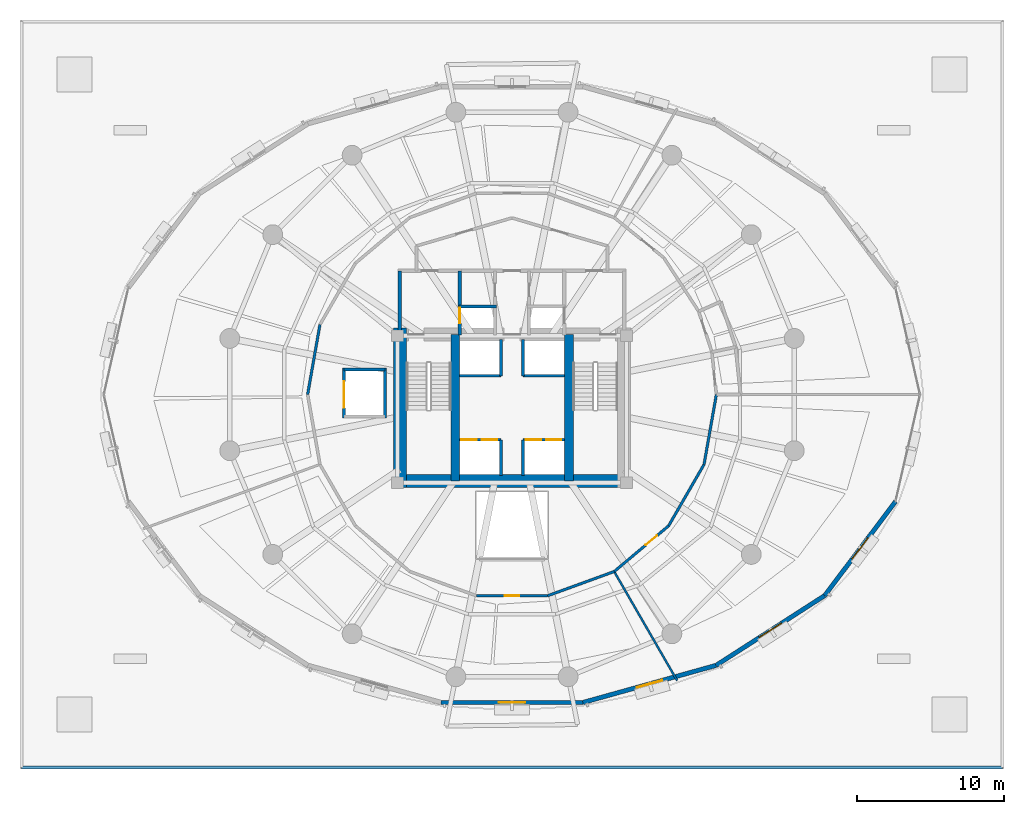
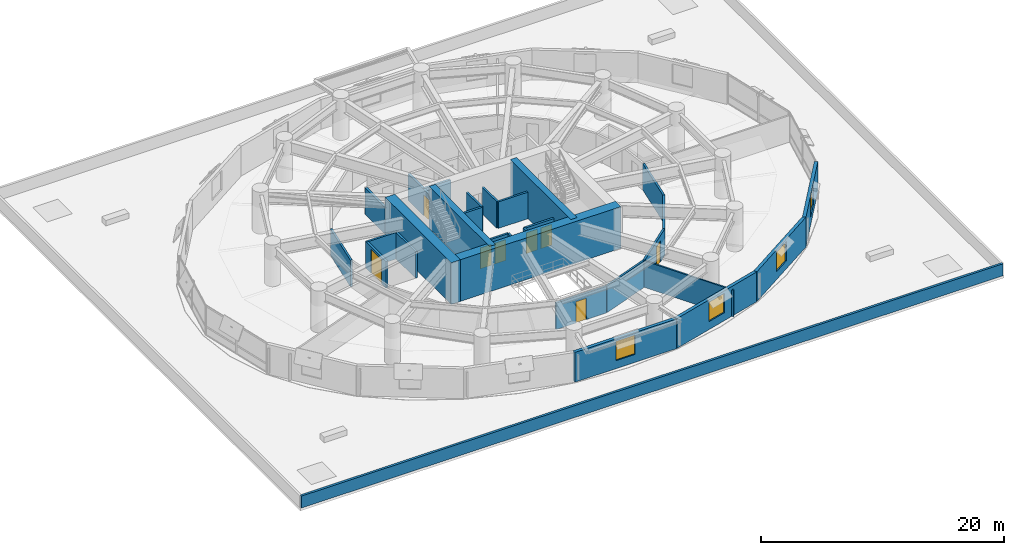
# One storey, part 9 of 15: 30 walls, 8 doors, 4 windows, 12 openings.
"""IFC4 building model written with IfcOpenShell, lengths in metres."""

from ifc_helpers import new_model, si_unit, direction, frame, frame_2d, origin, place, context, subcontext, project, spatial, rectangle, extrude, material, layer, layer_set, type_object, element, fill, save


model = new_model("IFC4")

# Units and contexts
model_context = context("Model", 3, precision=1e-05, world=origin(), true_north=direction((0.0, 1.0)))
body_context = subcontext(model_context, "Body", "Model", "MODEL_VIEW")
ifc_project = project(units=[si_unit("LENGTHUNIT", "METRE"), si_unit("AREAUNIT", "SQUARE_METRE"), si_unit("VOLUMEUNIT", "CUBIC_METRE"), si_unit("PLANEANGLEUNIT", "RADIAN"), si_unit("MASSUNIT", "GRAM", prefix="KILO"), si_unit("THERMODYNAMICTEMPERATUREUNIT", "KELVIN"), si_unit("POWERUNIT", "WATT")], contexts=[model_context])

# Site, building, storey
site_placement = place(None, origin())
site = spatial("IfcSite", under=ifc_project, at=site_placement, CompositionType="ELEMENT")
building_placement = place(site_placement, origin())
building = spatial("IfcBuilding", under=site, at=building_placement, Name="Ocrelia Relay Tower", CompositionType="ELEMENT")
storey_placement = place(building_placement, frame((0.0, 0.0, 30.0)))
storey = spatial("IfcBuildingStorey", under=building, at=storey_placement, Name="L06", CompositionType="ELEMENT", Elevation=30.0)

# Walls
ifc_material_1 = material(Name="Concrete C70/85", Category="concrete")
ifc_layer_1 = layer(ifc_material_1, 0.89990234375, Name="Concrete C70/85")
ifc_layer_set_1 = layer_set([ifc_layer_1], Name="Concrete C70/85")
wall_type_1 = type_object("IfcWallType", Name="CW-CORE-900", PredefinedType="SHEAR", material=ifc_layer_set_1)
wall_1_placement = place(storey_placement, frame((25.922119140625, 20.112060546875, 0.0), z_axis=(0.0, 0.0, 1.0), x_axis=(1.0, 0.0, 0.0)))
element("IfcWall", 1, at=wall_1_placement, inside=storey, type_object=wall_type_1, Name="L06 Core Shear Wall S", PredefinedType="SHEAR", context=body_context, shape_type="SweptSolid", body=[
    extrude(rectangle(XDim=16.165771484375, YDim=0.89990234375, at=frame_2d((8.0830078125, 0.0))), origin(), (0.0, 0.0, 1.0), 4.199951171875),
])
wall_2_placement = place(storey_placement, frame((26.3720703125, 19.662109375, 0.0), z_axis=(0.0, 0.0, 1.0), x_axis=(0.0, 1.0, 0.0)))
element("IfcWall", 2, at=wall_2_placement, inside=storey, type_object=wall_type_1, Name="L06 Core Shear Wall W", PredefinedType="SHEAR", context=body_context, shape_type="SweptSolid", body=[
    extrude(rectangle(XDim=10.8759765625, YDim=0.89990234375, at=frame_2d((5.43798828125, 0.0))), origin(), (0.0, 0.0, 1.0), 4.199951171875),
])
for number, where, z_axis, x_axis, name in (
    (3, (30.137939453125, 20.112060546875, 0.0), (0.0, 0.0, 1.0), (0.0, 1.0, 0.0), "L06 Core Shear Wall SPW"),
    (4, (37.8720703125, 20.112060546875, 0.0), (0.0, 0.0, 1.0), (0.0, 1.0, 0.0), "L06 Core Shear Wall SPE"),
):
    element("IfcWall", number, at=place(storey_placement, frame(where, z_axis=z_axis, x_axis=x_axis)), inside=storey, type_object=wall_type_1, Name=name, PredefinedType="SHEAR", context=body_context, shape_type="SweptSolid", body=[
        extrude(rectangle(XDim=9.975830078125, YDim=0.60009765625, at=frame_2d((4.98779296875, 0.0))), origin(), (0.0, 0.0, 1.0), 4.199951171875),
    ])
ifc_material_2 = material(Name="Gypsum Fireboard Partition EI60", Category="gypsum")
ifc_layer_2 = layer(ifc_material_2, 0.179931640625, Name="Gypsum Fireboard Partition EI60")
ifc_layer_set_2 = layer_set([ifc_layer_2], Name="Gypsum Fireboard Partition EI60")
wall_type_2 = type_object("IfcWallType", Name="W-CORR-EI60-180", PredefinedType="PARTITIONING", material=ifc_layer_set_2)
wall_3_placement = place(storey_placement, frame((20.91943359375, 30.760986328125, 0.0), z_axis=(0.0, 0.0, 1.0), x_axis=(-0.173621119757, -0.984812523669, 0.0)))
element("IfcWall", 5, at=wall_3_placement, inside=storey, type_object=wall_type_2, Name="L06 Colocation Data Hall A Corridor Partition 6", PredefinedType="PARTITIONING", context=body_context, shape_type="SweptSolid", body=[
    extrude(rectangle(XDim=4.83447265625, YDim=0.179931640625, at=frame_2d((2.417236328125, 0.0))), origin(), (0.0, 0.0, 1.0), 2.669921875),
])

# Wall, opening, door
wall_4_placement = place(storey_placement, frame((31.582763671875, 12.29150390625, 0.0), z_axis=(0.0, 0.0, 1.0), x_axis=(1.0, 0.0, 0.0)))
wall_4 = element("IfcWall", 6, at=wall_4_placement, inside=storey, type_object=wall_type_2, Name="L06 Hardware Testing Laboratory Corridor Partition 4", PredefinedType="PARTITIONING", context=body_context, shape_type="SweptSolid", body=[
    extrude(rectangle(XDim=4.83447265625, YDim=0.179931640625, at=frame_2d((2.417236328125, 0.0))), origin(), (0.0, 0.0, 1.0), 2.669921875),
])
opening_1_placement = place(wall_4_placement, frame((1.917236328125, 0.0, 0.0)))
opening_1 = element("IfcOpeningElement", 7, at=opening_1_placement, cuts=wall_4, Name="Opening D-RM100", PredefinedType="OPENING", context=body_context, shape_type="SweptSolid", body=[
    extrude(rectangle(XDim=1.0, YDim=2.14990234375, at=frame_2d((0.5, 1.074951171875))), frame((0.0, 0.10009765625, 0.0), z_axis=(0.0, -1.0, 0.0), x_axis=(1.0, 0.0, 0.0)), (0.0, 0.0, 1.0), 0.199951171875),
])
ifc_material_3 = material(Name="Acoustic oak veneer fire door", Category="wood")
door_type_1 = type_object("IfcDoorType", Name="DR-ROOM-FD60-1000", OperationType="NOTDEFINED", PredefinedType="DOOR", material=ifc_material_3)
door_1_placement = place(opening_1_placement, origin())
door_1 = element("IfcDoor", 8, at=door_1_placement, inside=storey, type_object=door_type_1, Name="L06 Hardware Testing Laboratory Entrance Door", OperationType="SINGLE_SWING_RIGHT", OverallHeight=2.14990234375, OverallWidth=1.0, PredefinedType="DOOR", context=body_context, shape_type="SweptSolid", body=[
    extrude(rectangle(XDim=1.0, YDim=2.14990234375, at=frame_2d((0.5, 1.074951171875))), frame((0.0, 0.02490234375, 0.0), z_axis=(0.0, -1.0, 0.0), x_axis=(1.0, 0.0, 0.0)), (0.0, 0.0, 1.0), 0.050048828125),
])
fill(opening_1, door_1)

# Wall
wall_5_placement = place(storey_placement, frame((36.417236328125, 12.29150390625, 0.0), z_axis=(0.0, 0.0, 1.0), x_axis=(0.939699018122, 0.342002566277, 0.0)))
element("IfcWall", 9, at=wall_5_placement, inside=storey, type_object=wall_type_2, Name="L06 Hardware Testing Laboratory Corridor Partition 5", PredefinedType="PARTITIONING", context=body_context, shape_type="SweptSolid", body=[
    extrude(rectangle(XDim=4.834228515625, YDim=0.179931640625, at=frame_2d((2.4169921875, 0.0))), origin(), (0.0, 0.0, 1.0), 2.669921875),
])

# Wall, opening, door
wall_6_placement = place(storey_placement, frame((40.9599609375, 13.94482421875, 0.0), z_axis=(0.0, 0.0, 1.0), x_axis=(0.766027093856, 0.642808285167, 0.0)))
wall_6 = element("IfcWall", 10, at=wall_6_placement, inside=storey, type_object=wall_type_2, Name="L06 Telemetry Operations Studio Corridor Partition 1", PredefinedType="PARTITIONING", context=body_context, shape_type="SweptSolid", body=[
    extrude(rectangle(XDim=4.83447265625, YDim=0.179931640625, at=frame_2d((2.417236328125, 0.0))), origin(), (0.0, 0.0, 1.0), 2.669921875),
])
opening_2_placement = place(wall_6_placement, frame((2.80078125, 0.0, 0.0)))
opening_2 = element("IfcOpeningElement", 11, at=opening_2_placement, cuts=wall_6, Name="Opening D-RM100", PredefinedType="OPENING", context=body_context, shape_type="SweptSolid", body=[
    extrude(rectangle(XDim=1.0, YDim=2.14990234375, at=frame_2d((0.5, 1.074951171875))), frame((0.0, 0.10009765625, 0.0), z_axis=(0.0, -1.0, 0.0), x_axis=(1.0, 0.0, 0.0)), (0.0, 0.0, 1.0), 0.199951171875),
])
door_2_placement = place(opening_2_placement, origin())
door_2 = element("IfcDoor", 12, at=door_2_placement, inside=storey, type_object=door_type_1, Name="L06 Telemetry Operations Studio Entrance Door", OperationType="SINGLE_SWING_LEFT", OverallHeight=2.14990234375, OverallWidth=1.0, PredefinedType="DOOR", context=body_context, shape_type="SweptSolid", body=[
    extrude(rectangle(XDim=1.0, YDim=2.14990234375, at=frame_2d((0.5, 1.074951171875))), frame((0.0, 0.02490234375, 0.0), z_axis=(0.0, -1.0, 0.0), x_axis=(1.0, 0.0, 0.0)), (0.0, 0.0, 1.0), 0.050048828125),
])
fill(opening_2, door_2)

# Walls
wall_7_placement = place(storey_placement, frame((44.663330078125, 17.052490234375, 0.0), z_axis=(0.0, 0.0, 1.0), x_axis=(0.500022634323, 0.866012335458, 0.0)))
element("IfcWall", 13, at=wall_7_placement, inside=storey, type_object=wall_type_2, Name="L06 Telemetry Operations Studio Corridor Partition 2", PredefinedType="PARTITIONING", context=body_context, shape_type="SweptSolid", body=[
    extrude(rectangle(XDim=4.834228515625, YDim=0.179931640625, at=frame_2d((2.4169921875, 0.0))), origin(), (0.0, 0.0, 1.0), 2.669921875),
])
wall_8_placement = place(storey_placement, frame((47.08056640625, 21.239013671875, 0.0), z_axis=(0.0, 0.0, 1.0), x_axis=(0.173621119757, 0.984812523669, 0.0)))
element("IfcWall", 14, at=wall_8_placement, inside=storey, type_object=wall_type_2, Name="L06 Telemetry Operations Studio Corridor Partition 3", PredefinedType="PARTITIONING", context=body_context, shape_type="SweptSolid", body=[
    extrude(rectangle(XDim=4.83447265625, YDim=0.179931640625, at=frame_2d((2.417236328125, 0.0))), origin(), (0.0, 0.0, 1.0), 2.669921875),
])

# Wall, opening, window
ifc_material_4 = material(Name="Precast concrete C40/50 with oxide terracotta", Category="masonry")
ifc_layer_3 = layer(ifc_material_4, 0.300048828125, Name="Precast concrete C40/50 with oxide terracotta")
ifc_layer_set_3 = layer_set([ifc_layer_3], Name="Precast concrete C40/50 with oxide terracotta")
wall_type_3 = type_object("IfcWallType", Name="W-EXT-TERR-300", PredefinedType="SOLIDWALL", material=ifc_layer_set_3)
wall_9_placement = place(storey_placement, frame((29.172607421875, 5.023681640625, 0.0), z_axis=(0.0, 0.0, 1.0), x_axis=(1.0, 0.0, 0.0)))
wall_9 = element("IfcWall", 15, at=wall_9_placement, inside=storey, type_object=wall_type_3, Name="L06 Oxide Terracotta Facade Wall 14", PredefinedType="SOLIDWALL", context=body_context, shape_type="SweptSolid", body=[
    extrude(rectangle(XDim=9.65478515625, YDim=0.300048828125, at=frame_2d((4.827392578125, 0.0))), origin(), (0.0, 0.0, 1.0), 3.0),
])
opening_3_placement = place(wall_9_placement, frame((3.927001953125, 0.0, 0.800048828125)))
opening_3 = element("IfcOpeningElement", 16, at=opening_3_placement, cuts=wall_9, Name="Opening W-02", PredefinedType="OPENING", context=body_context, shape_type="SweptSolid", body=[
    extrude(rectangle(XDim=1.800048828125, YDim=1.949951171875, at=frame_2d((0.89990234375, 0.97509765625))), frame((0.0, 0.16015625, 0.0), z_axis=(0.0, -1.0, 0.0), x_axis=(1.0, 0.0, 0.0)), (0.0, 0.0, 1.0), 0.320068359375),
])
ifc_material_5 = material(Name="Clear double-glazed low-E glass", Category="glass")
window_type = type_object("IfcWindowType", Name="WIN-Z1-1800x2100", PartitioningType="DOUBLE_PANEL_VERTICAL", PredefinedType="WINDOW", material=ifc_material_5)
window_1_placement = place(opening_3_placement, origin())
window_1 = element("IfcWindow", 17, at=window_1_placement, inside=storey, type_object=window_type, Name="L06 Facade Module Window 14", OverallHeight=1.949951171875, OverallWidth=1.800048828125, PartitioningType="SINGLE_PANEL", PredefinedType="WINDOW", context=body_context, shape_type="SweptSolid", body=[
    extrude(rectangle(XDim=1.800048828125, YDim=1.949951171875, at=frame_2d((0.89990234375, 0.97509765625))), frame((0.0, 0.030029296875, 0.0), z_axis=(0.0, -1.0, 0.0), x_axis=(1.0, 0.0, 0.0)), (0.0, 0.0, 1.0), 0.06005859375),
])
fill(opening_3, window_1)

wall_10_placement = place(storey_placement, frame((38.827392578125, 5.023681640625, 0.0), z_axis=(0.0, 0.0, 1.0), x_axis=(0.963246695545, 0.268618323133, 0.0)))
wall_10 = element("IfcWall", 18, at=wall_10_placement, inside=storey, type_object=wall_type_3, Name="L06 Oxide Terracotta Facade Wall 15", PredefinedType="SOLIDWALL", context=body_context, shape_type="SweptSolid", body=[
    extrude(rectangle(XDim=9.418701171875, YDim=0.300048828125, at=frame_2d((4.70947265625, 0.0))), origin(), (0.0, 0.0, 1.0), 3.0),
])
opening_4_placement = place(wall_10_placement, frame((3.80908203125, 0.0, 0.800048828125)))
opening_4 = element("IfcOpeningElement", 19, at=opening_4_placement, cuts=wall_10, Name="Opening W-02", PredefinedType="OPENING", context=body_context, shape_type="SweptSolid", body=[
    extrude(rectangle(XDim=1.800048828125, YDim=1.949951171875, at=frame_2d((0.89990234375, 0.97509765625))), frame((0.0, 0.16015625, 0.0), z_axis=(0.0, -1.0, 0.0), x_axis=(1.0, 0.0, 0.0)), (0.0, 0.0, 1.0), 0.320068359375),
])
window_2_placement = place(opening_4_placement, origin())
window_2 = element("IfcWindow", 20, at=window_2_placement, inside=storey, type_object=window_type, Name="L06 Facade Module Window 15", OverallHeight=1.949951171875, OverallWidth=1.800048828125, PartitioningType="SINGLE_PANEL", PredefinedType="WINDOW", context=body_context, shape_type="SweptSolid", body=[
    extrude(rectangle(XDim=1.800048828125, YDim=1.949951171875, at=frame_2d((0.89990234375, 0.97509765625))), frame((0.0, 0.030029296875, 0.0), z_axis=(0.0, -1.0, 0.0), x_axis=(1.0, 0.0, 0.0)), (0.0, 0.0, 1.0), 0.06005859375),
])
fill(opening_4, window_2)

wall_11_placement = place(storey_placement, frame((47.89990234375, 7.5537109375, 0.0), z_axis=(0.0, 0.0, 1.0), x_axis=(0.841162236031, 0.540782851685, 0.0)))
wall_11 = element("IfcWall", 21, at=wall_11_placement, inside=storey, type_object=wall_type_3, Name="L06 Oxide Terracotta Facade Wall 16", PredefinedType="SOLIDWALL", context=body_context, shape_type="SweptSolid", body=[
    extrude(rectangle(XDim=8.79248046875, YDim=0.300048828125, at=frame_2d((4.396240234375, 0.0))), origin(), (0.0, 0.0, 1.0), 3.0),
])
opening_5_placement = place(wall_11_placement, frame((3.49609375, 0.0, 0.800048828125)))
opening_5 = element("IfcOpeningElement", 22, at=opening_5_placement, cuts=wall_11, Name="Opening W-02", PredefinedType="OPENING", context=body_context, shape_type="SweptSolid", body=[
    extrude(rectangle(XDim=1.800048828125, YDim=1.949951171875, at=frame_2d((0.89990234375, 0.97509765625))), frame((0.0, 0.16015625, 0.0), z_axis=(0.0, -1.0, 0.0), x_axis=(1.0, 0.0, 0.0)), (0.0, 0.0, 1.0), 0.320068359375),
])
window_3_placement = place(opening_5_placement, origin())
window_3 = element("IfcWindow", 23, at=window_3_placement, inside=storey, type_object=window_type, Name="L06 Facade Module Window 16", OverallHeight=1.949951171875, OverallWidth=1.800048828125, PartitioningType="SINGLE_PANEL", PredefinedType="WINDOW", context=body_context, shape_type="SweptSolid", body=[
    extrude(rectangle(XDim=1.800048828125, YDim=1.949951171875, at=frame_2d((0.89990234375, 0.97509765625))), frame((0.0, 0.030029296875, 0.0), z_axis=(0.0, -1.0, 0.0), x_axis=(1.0, 0.0, 0.0)), (0.0, 0.0, 1.0), 0.06005859375),
])
fill(opening_5, window_3)

wall_12_placement = place(storey_placement, frame((55.2958984375, 12.30859375, 0.0), z_axis=(0.0, 0.0, 1.0), x_axis=(0.601814793535, 0.798635683076, 0.0)))
wall_12 = element("IfcWall", 24, at=wall_12_placement, inside=storey, type_object=wall_type_3, Name="L06 Oxide Terracotta Facade Wall 17", PredefinedType="SOLIDWALL", context=body_context, shape_type="SweptSolid", body=[
    extrude(rectangle(XDim=8.021728515625, YDim=0.300048828125, at=frame_2d((4.0107421875, 0.0))), origin(), (0.0, 0.0, 1.0), 3.0),
])
opening_6_placement = place(wall_12_placement, frame((3.111083984375, 0.0, 0.800048828125)))
opening_6 = element("IfcOpeningElement", 25, at=opening_6_placement, cuts=wall_12, Name="Opening W-02", PredefinedType="OPENING", context=body_context, shape_type="SweptSolid", body=[
    extrude(rectangle(XDim=1.800048828125, YDim=1.949951171875, at=frame_2d((0.89990234375, 0.97509765625))), frame((0.0, 0.16015625, 0.0), z_axis=(0.0, -1.0, 0.0), x_axis=(1.0, 0.0, 0.0)), (0.0, 0.0, 1.0), 0.320068359375),
])
window_4_placement = place(opening_6_placement, origin())
window_4 = element("IfcWindow", 26, at=window_4_placement, inside=storey, type_object=window_type, Name="L06 Facade Module Window 17", OverallHeight=1.949951171875, OverallWidth=1.800048828125, PartitioningType="SINGLE_PANEL", PredefinedType="WINDOW", context=body_context, shape_type="SweptSolid", body=[
    extrude(rectangle(XDim=1.800048828125, YDim=1.949951171875, at=frame_2d((0.89990234375, 0.97509765625))), frame((0.0, 0.030029296875, 0.0), z_axis=(0.0, -1.0, 0.0), x_axis=(1.0, 0.0, 0.0)), (0.0, 0.0, 1.0), 0.06005859375),
])
fill(opening_6, window_4)

# Wall
ifc_material_6 = material(Name="Concrete C50/60", Category="concrete")
ifc_layer_4 = layer(ifc_material_6, 0.219970703125, Name="Concrete C50/60")
ifc_layer_set_4 = layer_set([ifc_layer_4], Name="Concrete C50/60")
wall_type_4 = type_object("IfcWallType", Name="W-FFL-EI120-220", PredefinedType="SOLIDWALL", material=ifc_layer_set_4)
wall_13_placement = place(storey_placement, frame((26.35009765625, 30.050048828125, 0.0), z_axis=(0.0, 0.0, 1.0), x_axis=(0.0, 1.0, 0.0)))
element("IfcWall", 27, at=wall_13_placement, inside=storey, type_object=wall_type_4, Name="L06 W Fire Service Lift Lobby West Wall", PredefinedType="SOLIDWALL", context=body_context, shape_type="SweptSolid", body=[
    extrude(rectangle(XDim=4.3798828125, YDim=0.219970703125, at=frame_2d((2.18994140625, 0.0))), origin(), (0.0, 0.0, 1.0), 2.669921875),
])

# Wall, opening, door
wall_14_placement = place(storey_placement, frame((30.43994140625, 30.050048828125, 0.0), z_axis=(0.0, 0.0, 1.0), x_axis=(0.0, 1.0, 0.0)))
wall_14 = element("IfcWall", 28, at=wall_14_placement, inside=storey, type_object=wall_type_4, Name="L06 W Fire Service Lift Lobby East Wall", PredefinedType="SOLIDWALL", context=body_context, shape_type="SweptSolid", body=[
    extrude(rectangle(XDim=4.3798828125, YDim=0.219970703125, at=frame_2d((2.18994140625, 0.0))), origin(), (0.0, 0.0, 1.0), 2.669921875),
])
opening_7_placement = place(wall_14_placement, frame((0.800048828125, 0.0, 0.0)))
opening_7 = element("IfcOpeningElement", 29, at=opening_7_placement, cuts=wall_14, Name="Opening LD-FFL1", PredefinedType="OPENING", context=body_context, shape_type="SweptSolid", body=[
    extrude(rectangle(XDim=1.050048828125, YDim=2.10009765625, at=frame_2d((0.52490234375, 1.050048828125))), frame((0.0, 0.1201171875, 0.0), z_axis=(0.0, -1.0, 0.0), x_axis=(1.0, 0.0, 0.0)), (0.0, 0.0, 1.0), 0.239990234375),
])
ifc_material_7 = material(Name="Brushed stainless steel S355 lift landing door", Category="steel")
door_type_2 = type_object("IfcDoorType", Name="DR-LIFT-LAND-1050", OperationType="DOUBLE_DOOR_SLIDING", PredefinedType="USERDEFINED", material=ifc_material_7)
door_3_placement = place(opening_7_placement, origin())
door_3 = element("IfcDoor", 30, at=door_3_placement, inside=storey, type_object=door_type_2, Name="L06 Firefighting Lift FFL1 Sliding Landing Door", ObjectType="LANDING DOOR", OperationType="DOUBLE_DOOR_SLIDING", OverallHeight=2.10009765625, OverallWidth=1.050048828125, PredefinedType="USERDEFINED", context=body_context, shape_type="SweptSolid", body=[
    extrude(rectangle(XDim=1.050048828125, YDim=2.10009765625, at=frame_2d((0.52490234375, 1.050048828125))), frame((0.0, 0.02490234375, 0.0), z_axis=(0.0, -1.0, 0.0), x_axis=(1.0, 0.0, 0.0)), (0.0, 0.0, 1.0), 0.050048828125),
])
fill(opening_7, door_3)

# Walls
ifc_layer_5 = layer(ifc_material_4, 0.219970703125, Name="Precast concrete C40/50 with oxide terracotta")
ifc_layer_set_5 = layer_set([ifc_layer_5], Name="Precast concrete C40/50 with oxide terracotta")
wall_type_5 = type_object("IfcWallType", Name="W-PARAPET-220", PredefinedType="PARAPET", material=ifc_layer_set_5)
wall_15_placement = place(storey_placement, frame((0.60009765625, 0.60009765625, 0.0), z_axis=(0.0, 0.0, 1.0), x_axis=(1.0, 0.0, 0.0)))
element("IfcWall", 31, at=wall_15_placement, inside=storey, type_object=wall_type_5, Name="Podium Roof Terrace Parapet S", PredefinedType="PARAPET", context=body_context, shape_type="SweptSolid", body=[
    extrude(rectangle(XDim=66.7998046875, YDim=0.219970703125, at=frame_2d((33.39990234375, 0.0))), origin(), (0.0, 0.0, 1.0), 1.199951171875),
])
ifc_material_8 = material(Name="Acoustic Fireboard Partition EI60", Category="gypsum")
ifc_layer_6 = layer(ifc_material_8, 0.139892578125, Name="Acoustic Fireboard Partition EI60")
ifc_layer_set_6 = layer_set([ifc_layer_6], Name="Acoustic Fireboard Partition EI60")
wall_type_6 = type_object("IfcWallType", Name="W-PART-140", PredefinedType="PARTITIONING", material=ifc_layer_set_6)
wall_16_placement = place(storey_placement, frame((40.9599609375, 13.94482421875, 0.0), z_axis=(0.0, 0.0, 1.0), x_axis=(0.500007596729, -0.866021017767, 0.0)))
element("IfcWall", 32, at=wall_16_placement, inside=storey, type_object=wall_type_6, Name="L06 Hardware Testing Laboratory Radial Partition", PredefinedType="PARTITIONING", context=body_context, shape_type="SweptSolid", body=[
    extrude(rectangle(XDim=8.572509765625, YDim=0.139892578125, at=frame_2d((4.2861328125, 0.0))), origin(), (0.0, 0.0, 1.0), 2.669921875),
])
ifc_layer_7 = layer(ifc_material_6, 0.199951171875, Name="Concrete C50/60")
ifc_layer_set_7 = layer_set([ifc_layer_7], Name="Concrete C50/60")
wall_type_7 = type_object("IfcWallType", Name="W-SHAFT-EI120-200", PredefinedType="SOLIDWALL", material=ifc_layer_set_7)
wall_17_placement = place(storey_placement, frame((30.39990234375, 32.0, 0.0), z_axis=(0.0, 0.0, 1.0), x_axis=(1.0, 0.0, 0.0)))
element("IfcWall", 33, at=wall_17_placement, inside=storey, type_object=wall_type_7, Name="L06 FFL1 Hoistway North Wall", PredefinedType="SOLIDWALL", context=body_context, shape_type="SweptSolid", body=[
    extrude(rectangle(XDim=2.550048828125, YDim=0.199951171875, at=frame_2d((1.27490234375, 0.0))), origin(), (0.0, 0.0, 1.0), 2.669921875),
])

# Wall, openings, doors
wall_18_placement = place(storey_placement, frame((30.43994140625, 22.919921875, 0.0), z_axis=(0.0, 0.0, 1.0), x_axis=(1.0, 0.0, 0.0)))
wall_18 = element("IfcWall", 34, at=wall_18_placement, inside=storey, type_object=wall_type_7, Name="L06 Low-Rise Lift Hoistway Wall W", PredefinedType="SOLIDWALL", context=body_context, shape_type="SweptSolid", body=[
    extrude(rectangle(XDim=2.81005859375, YDim=0.199951171875, at=frame_2d((1.405029296875, 0.0))), origin(), (0.0, 0.0, 1.0), 2.669921875),
])
opening_8_placement = place(wall_18_placement, frame((0.1201171875, 0.0, 0.0)))
opening_8 = element("IfcOpeningElement", 35, at=opening_8_placement, cuts=wall_18, Name="Opening LD-PL1", PredefinedType="OPENING", context=body_context, shape_type="SweptSolid", body=[
    extrude(rectangle(XDim=1.050048828125, YDim=2.10009765625, at=frame_2d((0.52490234375, 1.050048828125))), frame((0.0, 0.10986328125, 0.0), z_axis=(0.0, -1.0, 0.0), x_axis=(1.0, 0.0, 0.0)), (0.0, 0.0, 1.0), 0.219970703125),
])
opening_9_placement = place(wall_18_placement, frame((1.5, 0.0, 0.0)))
opening_9 = element("IfcOpeningElement", 36, at=opening_9_placement, cuts=wall_18, Name="Opening LD-PL2", PredefinedType="OPENING", context=body_context, shape_type="SweptSolid", body=[
    extrude(rectangle(XDim=1.050048828125, YDim=2.10009765625, at=frame_2d((0.52490234375, 1.050048828125))), frame((0.0, 0.10986328125, 0.0), z_axis=(0.0, -1.0, 0.0), x_axis=(1.0, 0.0, 0.0)), (0.0, 0.0, 1.0), 0.219970703125),
])
door_4_placement = place(opening_8_placement, origin())
door_4 = element("IfcDoor", 37, at=door_4_placement, inside=storey, type_object=door_type_2, Name="L06 Passenger Lift PL1 Sliding Landing Door", ObjectType="LANDING DOOR", OperationType="DOUBLE_DOOR_SLIDING", OverallHeight=2.10009765625, OverallWidth=1.050048828125, PredefinedType="USERDEFINED", context=body_context, shape_type="SweptSolid", body=[
    extrude(rectangle(XDim=1.050048828125, YDim=2.10009765625, at=frame_2d((0.52490234375, 1.050048828125))), frame((0.0, 0.02490234375, 0.0), z_axis=(0.0, -1.0, 0.0), x_axis=(1.0, 0.0, 0.0)), (0.0, 0.0, 1.0), 0.050048828125),
])
fill(opening_8, door_4)
door_5_placement = place(opening_9_placement, origin())
door_5 = element("IfcDoor", 38, at=door_5_placement, inside=storey, type_object=door_type_2, Name="L06 Passenger Lift PL2 Sliding Landing Door", ObjectType="LANDING DOOR", OperationType="DOUBLE_DOOR_SLIDING", OverallHeight=2.10009765625, OverallWidth=1.050048828125, PredefinedType="USERDEFINED", context=body_context, shape_type="SweptSolid", body=[
    extrude(rectangle(XDim=1.050048828125, YDim=2.10009765625, at=frame_2d((0.52490234375, 1.050048828125))), frame((0.0, 0.02490234375, 0.0), z_axis=(0.0, -1.0, 0.0), x_axis=(1.0, 0.0, 0.0)), (0.0, 0.0, 1.0), 0.050048828125),
])
fill(opening_9, door_5)

# Wall
wall_19_placement = place(storey_placement, frame((33.25, 20.5, 0.0), z_axis=(0.0, 0.0, 1.0), x_axis=(0.0, 1.0, 0.0)))
element("IfcWall", 39, at=wall_19_placement, inside=storey, type_object=wall_type_7, Name="L06 Low-Rise Lift Throat Wall W", PredefinedType="SOLIDWALL", context=body_context, shape_type="SweptSolid", body=[
    extrude(rectangle(XDim=2.419921875, YDim=0.179931640625, at=frame_2d((1.2099609375, 0.0))), origin(), (0.0, 0.0, 1.0), 2.669921875),
])

# Wall, openings, doors
wall_20_placement = place(storey_placement, frame((34.75, 22.919921875, 0.0), z_axis=(0.0, 0.0, 1.0), x_axis=(1.0, 0.0, 0.0)))
wall_20 = element("IfcWall", 40, at=wall_20_placement, inside=storey, type_object=wall_type_7, Name="L06 Low-Rise Lift Hoistway Wall E", PredefinedType="SOLIDWALL", context=body_context, shape_type="SweptSolid", body=[
    extrude(rectangle(XDim=2.81005859375, YDim=0.199951171875, at=frame_2d((1.405029296875, 0.0))), origin(), (0.0, 0.0, 1.0), 2.669921875),
])
opening_10_placement = place(wall_20_placement, frame((0.18994140625, 0.0, 0.0)))
opening_10 = element("IfcOpeningElement", 41, at=opening_10_placement, cuts=wall_20, Name="Opening LD-PL3", PredefinedType="OPENING", context=body_context, shape_type="SweptSolid", body=[
    extrude(rectangle(XDim=1.050048828125, YDim=2.10009765625, at=frame_2d((0.52490234375, 1.050048828125))), frame((0.0, 0.10986328125, 0.0), z_axis=(0.0, -1.0, 0.0), x_axis=(1.0, 0.0, 0.0)), (0.0, 0.0, 1.0), 0.219970703125),
])
opening_11_placement = place(wall_20_placement, frame((1.570068359375, 0.0, 0.0)))
opening_11 = element("IfcOpeningElement", 42, at=opening_11_placement, cuts=wall_20, Name="Opening LD-PL4", PredefinedType="OPENING", context=body_context, shape_type="SweptSolid", body=[
    extrude(rectangle(XDim=1.050048828125, YDim=2.10009765625, at=frame_2d((0.52490234375, 1.050048828125))), frame((0.0, 0.10986328125, 0.0), z_axis=(0.0, -1.0, 0.0), x_axis=(1.0, 0.0, 0.0)), (0.0, 0.0, 1.0), 0.219970703125),
])
door_6_placement = place(opening_10_placement, origin())
door_6 = element("IfcDoor", 43, at=door_6_placement, inside=storey, type_object=door_type_2, Name="L06 Passenger Lift PL3 Sliding Landing Door", ObjectType="LANDING DOOR", OperationType="DOUBLE_DOOR_SLIDING", OverallHeight=2.10009765625, OverallWidth=1.050048828125, PredefinedType="USERDEFINED", context=body_context, shape_type="SweptSolid", body=[
    extrude(rectangle(XDim=1.050048828125, YDim=2.10009765625, at=frame_2d((0.52490234375, 1.050048828125))), frame((0.0, 0.02490234375, 0.0), z_axis=(0.0, -1.0, 0.0), x_axis=(1.0, 0.0, 0.0)), (0.0, 0.0, 1.0), 0.050048828125),
])
fill(opening_10, door_6)
door_7_placement = place(opening_11_placement, origin())
door_7 = element("IfcDoor", 44, at=door_7_placement, inside=storey, type_object=door_type_2, Name="L06 Passenger Lift PL4 Sliding Landing Door", ObjectType="LANDING DOOR", OperationType="DOUBLE_DOOR_SLIDING", OverallHeight=2.10009765625, OverallWidth=1.050048828125, PredefinedType="USERDEFINED", context=body_context, shape_type="SweptSolid", body=[
    extrude(rectangle(XDim=1.050048828125, YDim=2.10009765625, at=frame_2d((0.52490234375, 1.050048828125))), frame((0.0, 0.02490234375, 0.0), z_axis=(0.0, -1.0, 0.0), x_axis=(1.0, 0.0, 0.0)), (0.0, 0.0, 1.0), 0.050048828125),
])
fill(opening_11, door_7)

# Walls
wall_21_placement = place(storey_placement, frame((34.75, 20.5, 0.0), z_axis=(0.0, 0.0, 1.0), x_axis=(0.0, 1.0, 0.0)))
element("IfcWall", 45, at=wall_21_placement, inside=storey, type_object=wall_type_7, Name="L06 Low-Rise Lift Throat Wall E", PredefinedType="SOLIDWALL", context=body_context, shape_type="SweptSolid", body=[
    extrude(rectangle(XDim=2.419921875, YDim=0.179931640625, at=frame_2d((1.2099609375, 0.0))), origin(), (0.0, 0.0, 1.0), 2.669921875),
])
wall_22_placement = place(storey_placement, frame((30.43994140625, 27.280029296875, 0.0), z_axis=(0.0, 0.0, 1.0), x_axis=(1.0, 0.0, 0.0)))
element("IfcWall", 46, at=wall_22_placement, inside=storey, type_object=wall_type_7, Name="L06 High-Rise Lift Hoistway Wall W", PredefinedType="SOLIDWALL", context=body_context, shape_type="SweptSolid", body=[
    extrude(rectangle(XDim=2.81005859375, YDim=0.199951171875, at=frame_2d((1.405029296875, 0.0))), origin(), (0.0, 0.0, 1.0), 2.669921875),
])
wall_23_placement = place(storey_placement, frame((33.25, 27.280029296875, 0.0), z_axis=(0.0, 0.0, 1.0), x_axis=(0.0, 1.0, 0.0)))
element("IfcWall", 47, at=wall_23_placement, inside=storey, type_object=wall_type_7, Name="L06 High-Rise Lift Throat Wall W", PredefinedType="SOLIDWALL", context=body_context, shape_type="SweptSolid", body=[
    extrude(rectangle(XDim=2.469970703125, YDim=0.179931640625, at=frame_2d((1.23486328125, 0.0))), origin(), (0.0, 0.0, 1.0), 2.669921875),
])
wall_24_placement = place(storey_placement, frame((34.75, 27.280029296875, 0.0), z_axis=(0.0, 0.0, 1.0), x_axis=(1.0, 0.0, 0.0)))
element("IfcWall", 48, at=wall_24_placement, inside=storey, type_object=wall_type_7, Name="L06 High-Rise Lift Hoistway Wall E", PredefinedType="SOLIDWALL", context=body_context, shape_type="SweptSolid", body=[
    extrude(rectangle(XDim=2.81005859375, YDim=0.199951171875, at=frame_2d((1.405029296875, 0.0))), origin(), (0.0, 0.0, 1.0), 2.669921875),
])
wall_25_placement = place(storey_placement, frame((34.75, 27.280029296875, 0.0), z_axis=(0.0, 0.0, 1.0), x_axis=(0.0, 1.0, 0.0)))
element("IfcWall", 49, at=wall_25_placement, inside=storey, type_object=wall_type_7, Name="L06 High-Rise Lift Throat Wall E", PredefinedType="SOLIDWALL", context=body_context, shape_type="SweptSolid", body=[
    extrude(rectangle(XDim=2.469970703125, YDim=0.179931640625, at=frame_2d((1.23486328125, 0.0))), origin(), (0.0, 0.0, 1.0), 2.669921875),
])

# Wall, opening, door
wall_26_placement = place(storey_placement, frame((22.550048828125, 24.39990234375, 0.0), z_axis=(0.0, 0.0, 1.0), x_axis=(0.0, 1.0, 0.0)))
wall_26 = element("IfcWall", 50, at=wall_26_placement, inside=storey, type_object=wall_type_7, Name="L06 Goods Lift Shaft West Wall", PredefinedType="SOLIDWALL", context=body_context, shape_type="SweptSolid", body=[
    extrude(rectangle(XDim=3.400146484375, YDim=0.199951171875, at=frame_2d((1.7001953125, 0.0))), origin(), (0.0, 0.0, 1.0), 2.669921875),
])
opening_12_placement = place(wall_26_placement, frame((0.699951171875, 0.0, 0.0)))
opening_12 = element("IfcOpeningElement", 51, at=opening_12_placement, cuts=wall_26, Name="Opening LD-GL1", PredefinedType="OPENING", context=body_context, shape_type="SweptSolid", body=[
    extrude(rectangle(XDim=1.800048828125, YDim=2.39990234375, at=frame_2d((0.89990234375, 1.199951171875))), frame((0.0, 0.10986328125, 0.0), z_axis=(0.0, -1.0, 0.0), x_axis=(1.0, 0.0, 0.0)), (0.0, 0.0, 1.0), 0.219970703125),
])
ifc_material_9 = material(Name="Heavy-duty stainless steel S355 goods landing door", Category="steel")
door_type_3 = type_object("IfcDoorType", Name="DR-GOODS-LAND-1800", OperationType="DOUBLE_DOOR_SLIDING", PredefinedType="USERDEFINED", material=ifc_material_9)
door_8_placement = place(opening_12_placement, origin())
door_8 = element("IfcDoor", 52, at=door_8_placement, inside=storey, type_object=door_type_3, Name="L06 Goods Lift GL1 Sliding Landing Door", ObjectType="LANDING DOOR", OperationType="DOUBLE_DOOR_SLIDING", OverallHeight=2.39990234375, OverallWidth=1.800048828125, PredefinedType="USERDEFINED", context=body_context, shape_type="SweptSolid", body=[
    extrude(rectangle(XDim=1.800048828125, YDim=2.39990234375, at=frame_2d((0.89990234375, 1.199951171875))), frame((0.0, 0.02490234375, 0.0), z_axis=(0.0, -1.0, 0.0), x_axis=(1.0, 0.0, 0.0)), (0.0, 0.0, 1.0), 0.050048828125),
])
fill(opening_12, door_8)

# Walls
wall_27_placement = place(storey_placement, frame((25.35009765625, 24.39990234375, 0.0), z_axis=(0.0, 0.0, 1.0), x_axis=(0.0, 1.0, 0.0)))
element("IfcWall", 53, at=wall_27_placement, inside=storey, type_object=wall_type_7, Name="L06 Goods Lift Shaft E Wall", PredefinedType="SOLIDWALL", context=body_context, shape_type="SweptSolid", body=[
    extrude(rectangle(XDim=3.400146484375, YDim=0.199951171875, at=frame_2d((1.7001953125, 0.0))), origin(), (0.0, 0.0, 1.0), 2.669921875),
])
wall_28_placement = place(storey_placement, frame((22.550048828125, 27.699951171875, 0.0), z_axis=(0.0, 0.0, 1.0), x_axis=(1.0, 0.0, 0.0)))
element("IfcWall", 54, at=wall_28_placement, inside=storey, type_object=wall_type_7, Name="L06 Goods Lift Shaft N Wall", PredefinedType="SOLIDWALL", context=body_context, shape_type="SweptSolid", body=[
    extrude(rectangle(XDim=2.800048828125, YDim=0.199951171875, at=frame_2d((1.39990234375, 0.0))), origin(), (0.0, 0.0, 1.0), 2.669921875),
])

save(model, "model.ifc")
